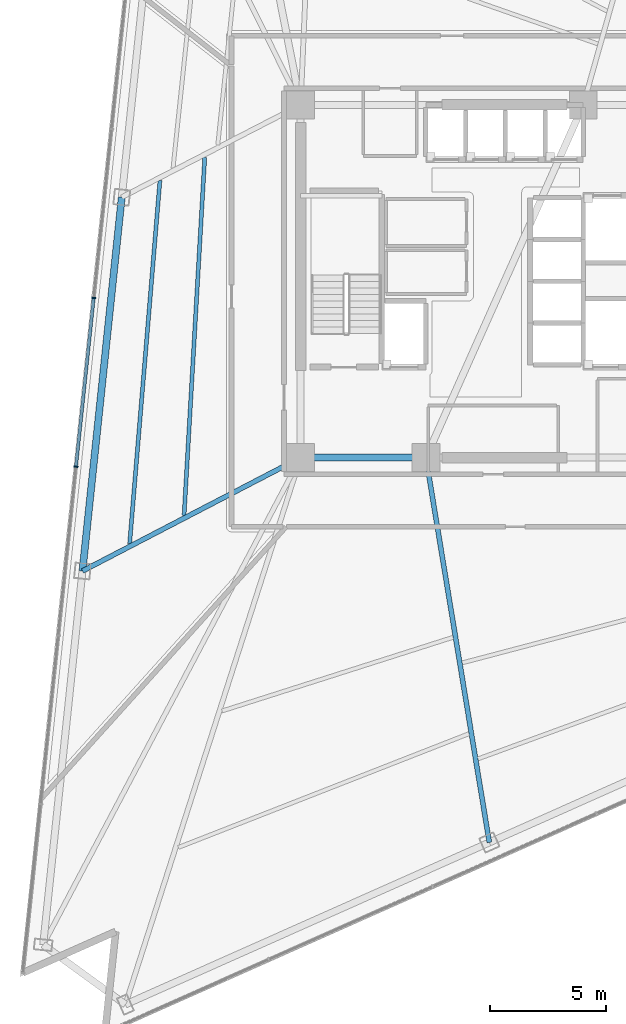
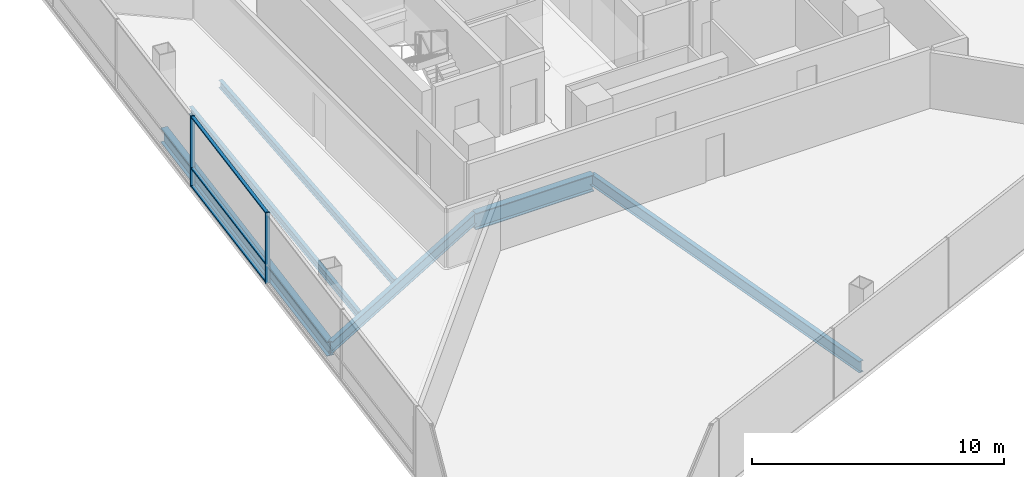
# One storey, part 4 of 16: 6 beams, 5 members, 1 element without a shape of its own.
"""IFC4 building model written with IfcOpenShell, lengths in metres."""

from ifc_helpers import new_model, si_unit, direction, frame, origin, origin_2d, place, context, subcontext, project, spatial, rectangle, i_section, extrude, material, layer, layer_set, material_profile, profile_set, type_object, element, aggregate, save


model = new_model("IFC4")

# Units and contexts
model_context = context("Model", 3, precision=1e-05, world=origin(), true_north=direction((0.0, 1.0)))
body_context = subcontext(model_context, "Body", "Model", "MODEL_VIEW")
ifc_project = project(units=[si_unit("LENGTHUNIT", "METRE"), si_unit("AREAUNIT", "SQUARE_METRE"), si_unit("VOLUMEUNIT", "CUBIC_METRE"), si_unit("PLANEANGLEUNIT", "RADIAN"), si_unit("MASSUNIT", "GRAM", prefix="KILO")], contexts=[model_context])

# Site, building, storey
site_placement = place(None, origin())
site = spatial("IfcSite", under=ifc_project, at=site_placement, CompositionType="ELEMENT")
building_placement = place(site_placement, origin())
building = spatial("IfcBuilding", under=site, at=building_placement, Name="Tharavind Bronze Gate", CompositionType="ELEMENT")
storey_placement = place(building_placement, frame((0.0, 0.0, 123.25)))
storey = spatial("IfcBuildingStorey", under=building, at=storey_placement, Name="L31", CompositionType="ELEMENT", Elevation=123.25)

# Curtain wall, members
ifc_material_1 = material(Name="Anodised Bronze Aluminium", Category="aluminium")
ifc_layer = layer(ifc_material_1, 0.219970703125)
ifc_layer_set = layer_set([ifc_layer], Name="Anodised Bronze Aluminium")
curtain_wall_type = type_object("IfcCurtainWallType", Name="UNITISED CURTAIN WALL LOWER OFFICE", PredefinedType="USERDEFINED", material=ifc_layer_set)
curtain_wall_placement = place(storey_placement, origin())
curtain_wall = element("IfcCurtainWall", 1, at=curtain_wall_placement, inside=storey, type_object=curtain_wall_type, Name="L31 unitised curtain wall lower office CW-L31-S1", ObjectType="UNITISED CURTAIN WALL", PredefinedType="USERDEFINED")
member_type_1 = type_object("IfcMemberType", Name="CURTAIN WALL BRONZE MULLION 65X180", PredefinedType="MULLION", material=ifc_material_1)
member_1_placement = place(storey_placement, frame((-17.82080078125, -0.71826171875, 0.0), z_axis=(0.0, 0.0, 1.0), x_axis=(-0.104526727499, -0.994522077803, 0.0)))
member_1 = element("IfcMember", 2, at=member_1_placement, type_object=member_type_1, Name="CW-L31-S1 mullion 4", PredefinedType="MULLION", context=body_context, shape_type="SweptSolid", body=[
    extrude(rectangle(XDim=0.06494140625, YDim=0.179931640625, at=origin_2d()), origin(), (0.0, 0.0, 1.0), 3.409912109375),
])
member_2_placement = place(storey_placement, frame((-18.58544921875, -7.991455078125, 0.0), z_axis=(0.0, 0.0, 1.0), x_axis=(-0.104526727499, -0.994522077803, 0.0)))
member_2 = element("IfcMember", 3, at=member_2_placement, type_object=member_type_1, Name="CW-L31-S1 mullion 5", PredefinedType="MULLION", context=body_context, shape_type="SweptSolid", body=[
    extrude(rectangle(XDim=0.06494140625, YDim=0.179931640625, at=origin_2d()), origin(), (0.0, 0.0, 1.0), 3.409912109375),
])
member_type_2 = type_object("IfcMemberType", Name="CURTAIN WALL BRONZE TRANSOM 65X140", PredefinedType="USERDEFINED", material=ifc_material_1)
member_3_placement = place(storey_placement, frame((-18.203125, -4.354736328125, 0.0), z_axis=(0.0, 0.0, 1.0), x_axis=(-0.104526727499, -0.994522077803, 0.0)))
member_3 = element("IfcMember", 4, at=member_3_placement, type_object=member_type_2, Name="CW-L31-S1 transom TB4", ObjectType="TRANSOM", PredefinedType="USERDEFINED", context=body_context, shape_type="SweptSolid", body=[
    extrude(rectangle(XDim=7.26025390625, YDim=0.139892578125, at=origin_2d()), origin(), (0.0, 0.0, 1.0), 0.06494140625),
])
member_4_placement = place(storey_placement, frame((-18.203125, -4.354736328125, 0.867431640625), z_axis=(0.0, 0.0, 1.0), x_axis=(-0.104526727499, -0.994522077803, 0.0)))
member_4 = element("IfcMember", 5, at=member_4_placement, type_object=member_type_2, Name="CW-L31-S1 transom TS4", ObjectType="TRANSOM", PredefinedType="USERDEFINED", context=body_context, shape_type="SweptSolid", body=[
    extrude(rectangle(XDim=7.26025390625, YDim=0.139892578125, at=origin_2d()), origin(), (0.0, 0.0, 1.0), 0.06494140625),
])
member_5_placement = place(storey_placement, frame((-18.203125, -4.354736328125, 3.344970703125), z_axis=(0.0, 0.0, 1.0), x_axis=(-0.104526727499, -0.994522077803, 0.0)))
member_5 = element("IfcMember", 6, at=member_5_placement, type_object=member_type_2, Name="CW-L31-S1 transom TT4", ObjectType="TRANSOM", PredefinedType="USERDEFINED", context=body_context, shape_type="SweptSolid", body=[
    extrude(rectangle(XDim=7.26025390625, YDim=0.139892578125, at=origin_2d()), origin(), (0.0, 0.0, 1.0), 0.06494140625),
])
aggregate(curtain_wall, [member_1, member_2, member_3, member_4, member_5])

# Beams
ifc_material_2 = material(Name="Steel S355", Category="steel")
ifc_material_profile_1 = material_profile(ifc_material_2, i_section(OverallWidth=0.2099609375, OverallDepth=0.550048828125, WebThickness=0.010986328125, FlangeThickness=0.01708984375, at=origin_2d()), Name="IPE550")
ifc_profile_set_1 = profile_set([ifc_material_profile_1], Name="Steel S355")
beam_type_1 = type_object("IfcBeamType", Name="PRIMARY GIRDER IPE550", PredefinedType="USERDEFINED", material=ifc_profile_set_1)
beam_1_placement = place(storey_placement, frame((-18.303955078125, -12.488037109375, -0.465087890625), z_axis=(0.887300514785, 0.46119171335, 0.0), x_axis=(-0.46119171335, 0.887300514785, 0.0)))
element("IfcBeam", 7, at=beam_1_placement, inside=storey, type_object=beam_type_1, Name="L31 primary girder ipe550 BM-L31-RAD03", ObjectType="GIRDER", PredefinedType="USERDEFINED", context=body_context, shape_type="SweptSolid", body=[
    extrude(i_section(OverallWidth=0.2099609375, OverallDepth=0.550048828125, WebThickness=0.010986328125, FlangeThickness=0.01708984375, at=origin_2d()), origin(), (0.0, 0.0, 1.0), 10.598388671875),
])
beam_2_placement = place(storey_placement, frame((-0.766357421875, -24.18798828125, -0.465087890625), z_axis=(-0.162604251404, 0.986691368882, 0.0), x_axis=(-0.986691368882, -0.162604251404, 0.0)))
element("IfcBeam", 8, at=beam_2_placement, inside=storey, type_object=beam_type_1, Name="L31 primary girder ipe550 BM-L31-RAD06", ObjectType="GIRDER", PredefinedType="USERDEFINED", context=body_context, shape_type="SweptSolid", body=[
    extrude(i_section(OverallWidth=0.2099609375, OverallDepth=0.550048828125, WebThickness=0.010986328125, FlangeThickness=0.01708984375, at=origin_2d()), origin(), (0.0, 0.0, 1.0), 16.8115234375),
])
ifc_material_profile_2 = material_profile(ifc_material_2, i_section(OverallWidth=0.300048828125, OverallDepth=0.699951171875, WebThickness=0.01708984375, FlangeThickness=0.031982421875, at=origin_2d()), Name="HE700B")
ifc_profile_set_2 = profile_set([ifc_material_profile_2], Name="Steel S355")
beam_type_2 = type_object("IfcBeamType", Name="RING GIRDER HE700B", PredefinedType="USERDEFINED", material=ifc_profile_set_2)
beam_3_placement = place(storey_placement, frame((-16.610595703125, 3.62158203125, -0.5400390625), z_axis=(-0.104538854147, -0.994520803188, 0.0), x_axis=(0.994520803188, -0.104538854147, 0.0)))
element("IfcBeam", 9, at=beam_3_placement, inside=storey, type_object=beam_type_2, Name="L31 ring girder he700b BM-L31-PRG02", ObjectType="GIRDER", PredefinedType="USERDEFINED", context=body_context, shape_type="SweptSolid", body=[
    extrude(i_section(OverallWidth=0.300048828125, OverallDepth=0.699951171875, WebThickness=0.01708984375, FlangeThickness=0.031982421875, at=origin_2d()), origin(), (0.0, 0.0, 1.0), 16.198486328125),
])
ifc_material_profile_3 = material_profile(ifc_material_2, i_section(OverallWidth=0.300048828125, OverallDepth=0.800048828125, WebThickness=0.017578125, FlangeThickness=0.032958984375, at=origin_2d()), Name="HE800B")
ifc_profile_set_3 = profile_set([ifc_material_profile_3], Name="Steel S355")
beam_type_3 = type_object("IfcBeamType", Name="RING GIRDER HE800B", PredefinedType="USERDEFINED", material=ifc_profile_set_3)
beam_4_placement = place(storey_placement, frame((-8.89990234375, -7.60009765625, -0.590087890625), z_axis=(1.0, 0.0, 0.0), x_axis=(0.0, 1.0, 0.0)))
element("IfcBeam", 10, at=beam_4_placement, inside=storey, type_object=beam_type_3, Name="L31 ring girder he800b BM-L31-CR1", ObjectType="GIRDER", PredefinedType="USERDEFINED", context=body_context, shape_type="SweptSolid", body=[
    extrude(i_section(OverallWidth=0.300048828125, OverallDepth=0.800048828125, WebThickness=0.017578125, FlangeThickness=0.032958984375, at=origin_2d()), origin(), (0.0, 0.0, 1.0), 5.39990234375),
])
ifc_material_profile_4 = material_profile(ifc_material_2, i_section(OverallWidth=0.169921875, OverallDepth=0.360107421875, WebThickness=0.008056640625, FlangeThickness=0.0126953125, at=origin_2d()), Name="IPE360")
ifc_profile_set_4 = profile_set([ifc_material_profile_4], Name="Steel S355")
beam_type_4 = type_object("IfcBeamType", Name="SECONDARY FLOOR JOIST IPE360", PredefinedType="JOIST", material=ifc_profile_set_4)
beam_5_placement = place(storey_placement, frame((-13.032470703125, 5.345703125, -0.3701171875), z_axis=(-0.057653739609, -0.998336639771, 0.0), x_axis=(0.998336639771, -0.057653739609, 0.0)))
element("IfcBeam", 11, at=beam_5_placement, inside=storey, type_object=beam_type_4, Name="L31 secondary floor joist ipe360 BM-L31-JSTA02", PredefinedType="JOIST", context=body_context, shape_type="SweptSolid", body=[
    extrude(i_section(OverallWidth=0.169921875, OverallDepth=0.360107421875, WebThickness=0.008056640625, FlangeThickness=0.0126953125, at=origin_2d()), origin(), (0.0, 0.0, 1.0), 15.46044921875),
])
beam_6_placement = place(storey_placement, frame((-14.96337890625, 4.349609375, -0.3701171875), z_axis=(-0.083246063349, -0.996529022626, 0.0), x_axis=(0.996529022626, -0.083246063349, 0.0)))
element("IfcBeam", 12, at=beam_6_placement, inside=storey, type_object=beam_type_4, Name="L31 secondary floor joist ipe360 BM-L31-JSTB02", PredefinedType="JOIST", context=body_context, shape_type="SweptSolid", body=[
    extrude(i_section(OverallWidth=0.169921875, OverallDepth=0.360107421875, WebThickness=0.008056640625, FlangeThickness=0.0126953125, at=origin_2d()), origin(), (0.0, 0.0, 1.0), 15.713623046875),
])

save(model, "model.ifc")
